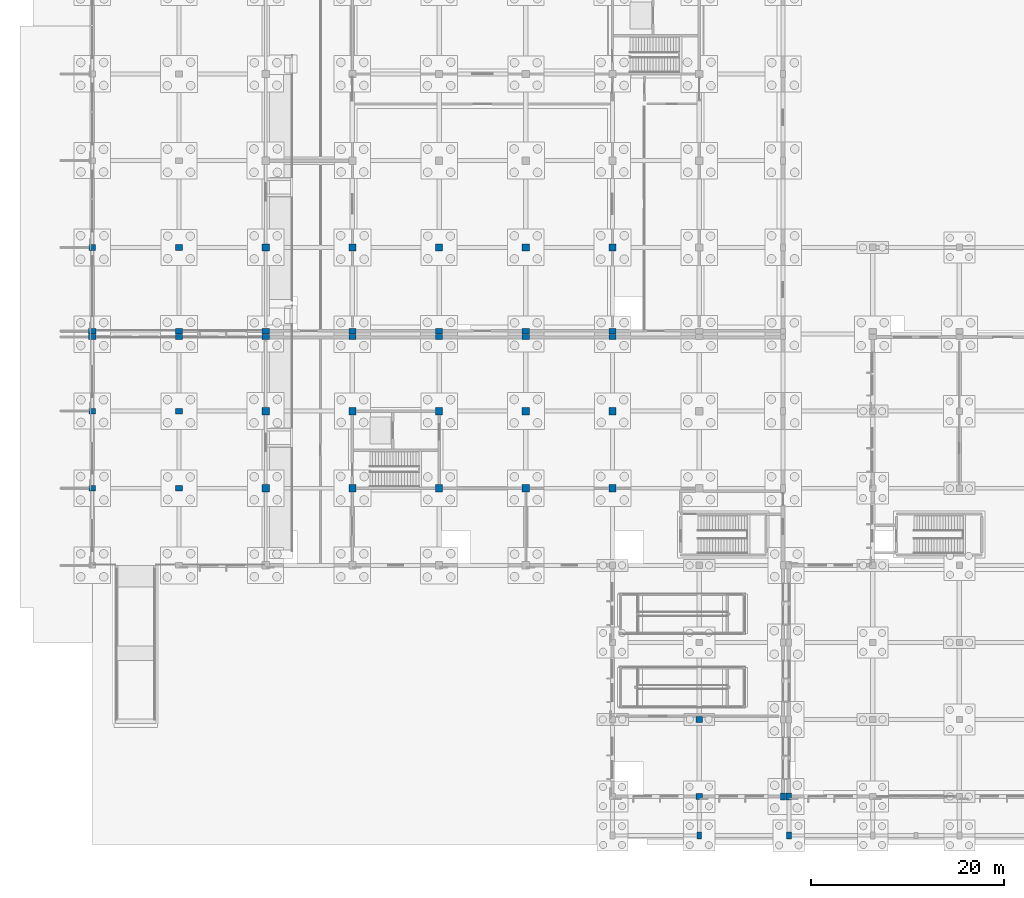
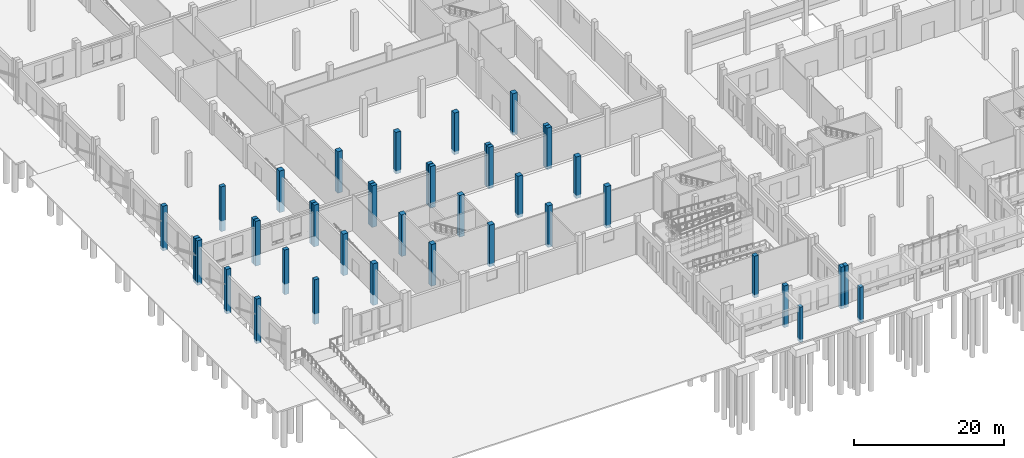
# One storey, part 26 of 99: 41 columns.
"""IFC4 building model written with IfcOpenShell, lengths in metres."""

from ifc_helpers import new_model, si_unit, direction, frame, origin, origin_2d, place, context, subcontext, project, spatial, rectangle, extrude, material, material_profile, profile_set, type_object, element, save


model = new_model("IFC4")

# Units and contexts
model_context = context("Model", 3, precision=1e-05, world=origin(), true_north=direction((0.0, 1.0)))
body_context = subcontext(model_context, "Body", "Model", "MODEL_VIEW")
ifc_project = project(units=[si_unit("LENGTHUNIT", "METRE"), si_unit("AREAUNIT", "SQUARE_METRE"), si_unit("VOLUMEUNIT", "CUBIC_METRE"), si_unit("PLANEANGLEUNIT", "RADIAN"), si_unit("MASSUNIT", "GRAM", prefix="KILO")], contexts=[model_context])

# Site, building, storey
site_placement = place(None, origin())
site = spatial("IfcSite", under=ifc_project, at=site_placement, CompositionType="ELEMENT")
building_placement = place(site_placement, origin())
building = spatial("IfcBuilding", under=site, at=building_placement, Name="Zacnel Wholesale Market", CompositionType="ELEMENT")
storey_placement = place(building_placement, origin())
storey = spatial("IfcBuildingStorey", under=building, at=storey_placement, Name="L01", CompositionType="ELEMENT", Elevation=0.0)

# Columns
ifc_material_1 = material(Name="Precast concrete C45/55", Category="concrete")
ifc_material_profile_1 = material_profile(ifc_material_1, rectangle(XDim=0.550048828125, YDim=0.75, at=origin_2d()), Name="PC 550x750")
ifc_profile_set_1 = profile_set([ifc_material_profile_1], Name="Precast concrete C45/55")
column_type_1 = type_object("IfcColumnType", Name="COL-MJ550X750", PredefinedType="COLUMN", material=ifc_profile_set_1)
for number, where, z_axis, x_axis, name in (
    (1, (71.699951171875, 0.0, -0.5), (0.0, 0.0, 1.0), (1.0, 0.0, 0.0), "Precast column L01-0127"),
    (2, (72.300048828125, 0.0, -0.5), (0.0, 0.0, 1.0), (1.0, 0.0, 0.0), "Precast column L01-0145"),
):
    element("IfcColumn", number, at=place(storey_placement, frame(where, z_axis=z_axis, x_axis=x_axis)), inside=storey, type_object=column_type_1, Name=name, PredefinedType="COLUMN", context=body_context, shape_type="SweptSolid", body=[
        extrude(rectangle(XDim=0.550048828125, YDim=0.75, at=origin_2d()), origin(), (0.0, 0.0, 1.0), 6.800048828125),
    ])
ifc_material_2 = material(Name="Precast concrete C45/55", Category="concrete")
ifc_material_profile_2 = material_profile(ifc_material_2, rectangle(XDim=0.75, YDim=0.550048828125, at=origin_2d()), Name="PC 750x550")
ifc_profile_set_2 = profile_set([ifc_material_profile_2], Name="Precast concrete C45/55")
column_type_2 = type_object("IfcColumnType", Name="COL-MJ750X550", PredefinedType="COLUMN", material=ifc_profile_set_2)
for number, where, z_axis, x_axis, name in (
    (3, (0.0, 47.699951171875, -0.5), (0.0, 0.0, 1.0), (1.0, 0.0, 0.0), "Precast column L01-0004"),
    (4, (0.0, 48.300048828125, -0.5), (0.0, 0.0, 1.0), (1.0, 0.0, 0.0), "Precast column L01-0005"),
    (5, (9.0, 47.699951171875, -0.5), (0.0, 0.0, 1.0), (1.0, 0.0, 0.0), "Precast column L01-0019"),
    (6, (9.0, 48.300048828125, -0.5), (0.0, 0.0, 1.0), (1.0, 0.0, 0.0), "Precast column L01-0020"),
):
    element("IfcColumn", number, at=place(storey_placement, frame(where, z_axis=z_axis, x_axis=x_axis)), inside=storey, type_object=column_type_2, Name=name, PredefinedType="COLUMN", context=body_context, shape_type="SweptSolid", body=[
        extrude(rectangle(XDim=0.75, YDim=0.550048828125, at=origin_2d()), origin(), (0.0, 0.0, 1.0), 7.300048828125),
    ])
for number, where, z_axis, x_axis, name in (
    (7, (18.0, 47.699951171875, -0.5), (0.0, 0.0, 1.0), (1.0, 0.0, 0.0), "Precast column L01-0034"),
    (8, (18.0, 48.300048828125, -0.5), (0.0, 0.0, 1.0), (1.0, 0.0, 0.0), "Precast column L01-0035"),
    (9, (27.0, 47.699951171875, -0.5), (0.0, 0.0, 1.0), (1.0, 0.0, 0.0), "Precast column L01-0049"),
    (10, (27.0, 48.300048828125, -0.5), (0.0, 0.0, 1.0), (1.0, 0.0, 0.0), "Precast column L01-0050"),
    (11, (36.0, 47.699951171875, -0.5), (0.0, 0.0, 1.0), (1.0, 0.0, 0.0), "Precast column L01-0064"),
    (12, (36.0, 48.300048828125, -0.5), (0.0, 0.0, 1.0), (1.0, 0.0, 0.0), "Precast column L01-0065"),
    (13, (45.0, 47.699951171875, -0.5), (0.0, 0.0, 1.0), (1.0, 0.0, 0.0), "Precast column L01-0079"),
    (14, (45.0, 48.300048828125, -0.5), (0.0, 0.0, 1.0), (1.0, 0.0, 0.0), "Precast column L01-0080"),
    (15, (54.0, 47.699951171875, -0.5), (0.0, 0.0, 1.0), (1.0, 0.0, 0.0), "Precast column L01-0097"),
    (16, (54.0, 48.300048828125, -0.5), (0.0, 0.0, 1.0), (1.0, 0.0, 0.0), "Precast column L01-0098"),
):
    element("IfcColumn", number, at=place(storey_placement, frame(where, z_axis=z_axis, x_axis=x_axis)), inside=storey, type_object=column_type_2, Name=name, PredefinedType="COLUMN", context=body_context, shape_type="SweptSolid", body=[
        extrude(rectangle(XDim=0.75, YDim=0.550048828125, at=origin_2d()), origin(), (0.0, 0.0, 1.0), 6.800048828125),
    ])
ifc_material_3 = material(Name="Precast concrete C45/55", Category="concrete")
ifc_material_profile_3 = material_profile(ifc_material_3, rectangle(XDim=0.64990234375, YDim=0.64990234375, at=origin_2d()), Name="PC 650x650")
ifc_profile_set_3 = profile_set([ifc_material_profile_3], Name="Precast concrete C45/55")
column_type_3 = type_object("IfcColumnType", Name="COL-PC650", PredefinedType="COLUMN", material=ifc_profile_set_3)
for number, where, z_axis, x_axis, name in (
    (17, (63.0, 0.0, -0.5), (0.0, 0.0, 1.0), (1.0, 0.0, 0.0), "Precast column L01-0109"),
    (18, (63.0, 8.0, -0.5), (0.0, 0.0, 1.0), (1.0, 0.0, 0.0), "Precast column L01-0110"),
):
    element("IfcColumn", number, at=place(storey_placement, frame(where, z_axis=z_axis, x_axis=x_axis)), inside=storey, type_object=column_type_3, Name=name, PredefinedType="COLUMN", context=body_context, shape_type="SweptSolid", body=[
        extrude(rectangle(XDim=0.64990234375, YDim=0.64990234375, at=origin_2d()), origin(), (0.0, 0.0, 1.0), 6.800048828125),
    ])
ifc_material_4 = material(Name="Precast concrete C45/55", Category="concrete")
ifc_material_profile_4 = material_profile(ifc_material_4, rectangle(XDim=0.699951171875, YDim=0.60009765625, at=origin_2d()), Name="PC 700x600")
ifc_profile_set_4 = profile_set([ifc_material_profile_4], Name="Precast concrete C45/55")
column_type_4 = type_object("IfcColumnType", Name="COL-PC700X600", PredefinedType="COLUMN", material=ifc_profile_set_4)
for number, where, z_axis, x_axis, name in (
    (19, (0.0, 32.0, -0.5), (0.0, 0.0, 1.0), (1.0, 0.0, 0.0), "Precast column L01-0002"),
    (20, (0.0, 40.0, -0.5), (0.0, 0.0, 1.0), (1.0, 0.0, 0.0), "Precast column L01-0003"),
    (21, (0.0, 57.0, -0.5), (0.0, 0.0, 1.0), (1.0, 0.0, 0.0), "Precast column L01-0006"),
    (22, (9.0, 32.0, -0.5), (0.0, 0.0, 1.0), (1.0, 0.0, 0.0), "Precast column L01-0017"),
    (23, (9.0, 40.0, -0.5), (0.0, 0.0, 1.0), (1.0, 0.0, 0.0), "Precast column L01-0018"),
    (24, (9.0, 57.0, -0.5), (0.0, 0.0, 1.0), (1.0, 0.0, 0.0), "Precast column L01-0021"),
):
    element("IfcColumn", number, at=place(storey_placement, frame(where, z_axis=z_axis, x_axis=x_axis)), inside=storey, type_object=column_type_4, Name=name, PredefinedType="COLUMN", context=body_context, shape_type="SweptSolid", body=[
        extrude(rectangle(XDim=0.699951171875, YDim=0.60009765625, at=origin_2d()), origin(), (0.0, 0.0, 1.0), 7.300048828125),
    ])
ifc_material_5 = material(Name="Precast concrete C45/55", Category="concrete")
ifc_material_profile_5 = material_profile(ifc_material_5, rectangle(XDim=0.75, YDim=0.75, at=origin_2d()), Name="PC 750x750")
ifc_profile_set_5 = profile_set([ifc_material_profile_5], Name="Precast concrete C45/55")
column_type_5 = type_object("IfcColumnType", Name="COL-PC750", PredefinedType="COLUMN", material=ifc_profile_set_5)
for number, where, z_axis, x_axis, name in (
    (25, (18.0, 32.0, -0.5), (0.0, 0.0, 1.0), (1.0, 0.0, 0.0), "Precast column L01-0032"),
    (26, (18.0, 40.0, -0.5), (0.0, 0.0, 1.0), (1.0, 0.0, 0.0), "Precast column L01-0033"),
    (27, (18.0, 57.0, -0.5), (0.0, 0.0, 1.0), (1.0, 0.0, 0.0), "Precast column L01-0036"),
    (28, (27.0, 32.0, -0.5), (0.0, 0.0, 1.0), (1.0, 0.0, 0.0), "Precast column L01-0047"),
    (29, (27.0, 40.0, -0.5), (0.0, 0.0, 1.0), (1.0, 0.0, 0.0), "Precast column L01-0048"),
    (30, (27.0, 57.0, -0.5), (0.0, 0.0, 1.0), (1.0, 0.0, 0.0), "Precast column L01-0051"),
    (31, (36.0, 32.0, -0.5), (0.0, 0.0, 1.0), (1.0, 0.0, 0.0), "Precast column L01-0062"),
    (32, (36.0, 40.0, -0.5), (0.0, 0.0, 1.0), (1.0, 0.0, 0.0), "Precast column L01-0063"),
    (33, (36.0, 57.0, -0.5), (0.0, 0.0, 1.0), (1.0, 0.0, 0.0), "Precast column L01-0066"),
    (34, (45.0, 32.0, -0.5), (0.0, 0.0, 1.0), (1.0, 0.0, 0.0), "Precast column L01-0077"),
    (35, (45.0, 40.0, -0.5), (0.0, 0.0, 1.0), (1.0, 0.0, 0.0), "Precast column L01-0078"),
    (36, (45.0, 57.0, -0.5), (0.0, 0.0, 1.0), (1.0, 0.0, 0.0), "Precast column L01-0081"),
    (37, (54.0, 32.0, -0.5), (0.0, 0.0, 1.0), (1.0, 0.0, 0.0), "Precast column L01-0095"),
    (38, (54.0, 40.0, -0.5), (0.0, 0.0, 1.0), (1.0, 0.0, 0.0), "Precast column L01-0096"),
    (39, (54.0, 57.0, -0.5), (0.0, 0.0, 1.0), (1.0, 0.0, 0.0), "Precast column L01-0099"),
):
    element("IfcColumn", number, at=place(storey_placement, frame(where, z_axis=z_axis, x_axis=x_axis)), inside=storey, type_object=column_type_5, Name=name, PredefinedType="COLUMN", context=body_context, shape_type="SweptSolid", body=[
        extrude(rectangle(XDim=0.75, YDim=0.75, at=origin_2d()), origin(), (0.0, 0.0, 1.0), 6.800048828125),
    ])
ifc_material_6 = material(Name="Precast concrete C45/55", Category="concrete")
ifc_material_profile_6 = material_profile(ifc_material_6, rectangle(XDim=0.5, YDim=0.699951171875, at=origin_2d()), Name="PIL 500x700")
ifc_profile_set_6 = profile_set([ifc_material_profile_6], Name="Precast concrete C45/55")
column_type_6 = type_object("IfcColumnType", Name="PIL-DEC500X700", PredefinedType="PILASTER", material=ifc_profile_set_6)
for number, where, z_axis, x_axis, name in (
    (40, (63.0, -4.050048828125, -0.5), (0.0, 0.0, 1.0), (1.0, 0.0, 0.0), "Mayan-Deco colonnade pilaster 02"),
    (41, (72.300048828125, -4.050048828125, -0.5), (0.0, 0.0, 1.0), (1.0, 0.0, 0.0), "Mayan-Deco colonnade pilaster 03"),
):
    element("IfcColumn", number, at=place(storey_placement, frame(where, z_axis=z_axis, x_axis=x_axis)), inside=storey, type_object=column_type_6, Name=name, PredefinedType="PILASTER", context=body_context, shape_type="SweptSolid", body=[
        extrude(rectangle(XDim=0.5, YDim=0.699951171875, at=origin_2d()), origin(), (0.0, 0.0, 1.0), 5.77001953125),
    ])

save(model, "model.ifc")
